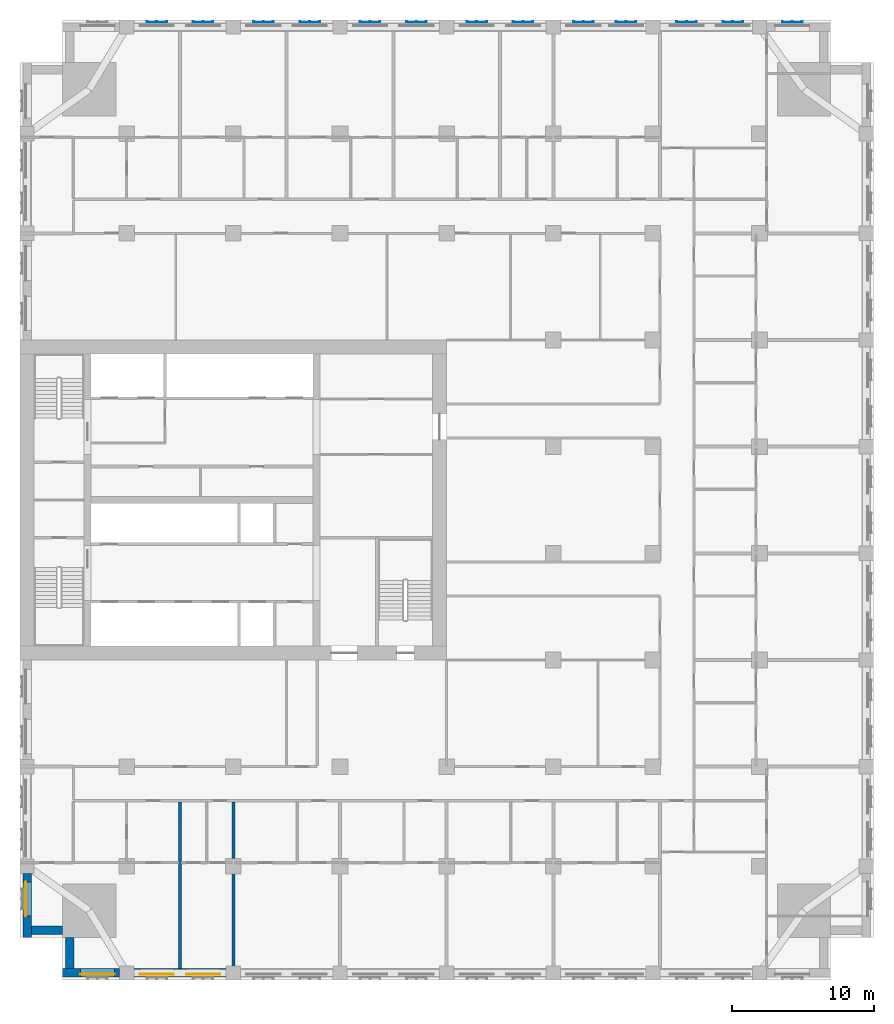
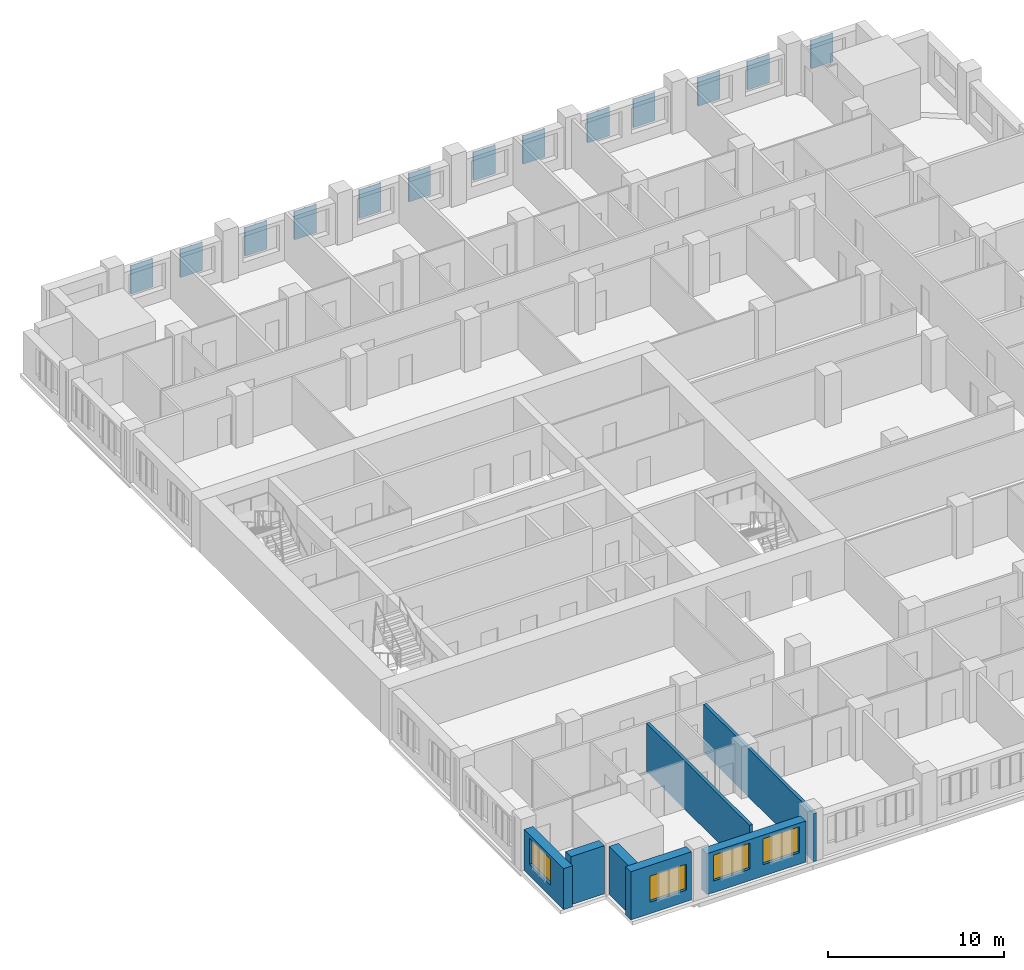
# One storey, part 3 of 14: 13 plates, 7 walls, 4 windows, 4 openings.
"""IFC4 building model written with IfcOpenShell, lengths in metres."""

from ifc_helpers import new_model, si_unit, direction, frame, frame_2d, origin, place, context, subcontext, project, spatial, polyline, rectangle, outline, extrude, material, layer, layer_set, type_object, element, fill, save


model = new_model("IFC4")

# Units and contexts
model_context = context("Model", 3, precision=1e-05, world=origin(), true_north=direction((0.0, 1.0)))
body_context = subcontext(model_context, "Body", "Model", "MODEL_VIEW")
ifc_project = project(units=[si_unit("LENGTHUNIT", "METRE"), si_unit("AREAUNIT", "SQUARE_METRE"), si_unit("VOLUMEUNIT", "CUBIC_METRE"), si_unit("PLANEANGLEUNIT", "RADIAN"), si_unit("MASSUNIT", "GRAM", prefix="KILO")], contexts=[model_context])

# Site, building, storey
site_placement = place(None, origin())
site = spatial("IfcSite", under=ifc_project, at=site_placement, CompositionType="ELEMENT")
building_placement = place(site_placement, origin())
building = spatial("IfcBuilding", under=site, at=building_placement, Name="Tamorin Gate", CompositionType="ELEMENT")
storey_placement = place(building_placement, frame((0.0, 0.0, 86.300048828125)))
storey = spatial("IfcBuildingStorey", under=building, at=storey_placement, Name="L20", CompositionType="ELEMENT", Elevation=86.300048828125)

# Plates
ifc_material_1 = material(Name="Perforated pale aluminium sheet", Category="aluminium")
ifc_layer_1 = layer(ifc_material_1, 0.0400390625)
ifc_layer_set_1 = layer_set([ifc_layer_1], Name="Pale metal solar screen 1440")
plate_type = type_object("IfcPlateType", Name="Pale metal solar screen 1440", PredefinedType="SHEET", material=ifc_layer_set_1)
plate_1_placement = place(storey_placement, frame((0.0, 0.0, 0.7099609375)))
element("IfcPlate", 1, at=plate_1_placement, inside=storey, type_object=plate_type, Name="Perforated solar screen", PredefinedType="SHEET", context=body_context, shape_type="SweptSolid", body=[
    extrude(outline(polyline([(85.02001953125, 104.840087890625), (85.02001953125, 104.800048828125), (84.9599609375, 104.800048828125), (84.330078125, 104.800048828125), (84.27001953125, 104.800048828125), (83.639892578125, 104.800048828125), (83.580078125, 104.800048828125), (83.580078125, 104.840087890625), (83.580078125, 104.89990234375), (83.639892578125, 104.89990234375), (83.639892578125, 104.840087890625), (84.27001953125, 104.840087890625), (84.27001953125, 104.89990234375), (84.330078125, 104.89990234375), (84.330078125, 104.840087890625), (84.9599609375, 104.840087890625), (84.9599609375, 104.89990234375), (85.02001953125, 104.89990234375), (85.02001953125, 104.840087890625)])), origin(), (0.0, 0.0, 1.0), 1.97998046875),
])
plate_2_placement = place(storey_placement, frame((0.0, 0.0, 0.7099609375)))
element("IfcPlate", 2, at=plate_2_placement, inside=storey, type_object=plate_type, Name="Perforated solar screen", PredefinedType="SHEET", context=body_context, shape_type="SweptSolid", body=[
    extrude(outline(polyline([(77.594970703125, 104.840087890625), (77.594970703125, 104.800048828125), (77.534912109375, 104.800048828125), (76.905029296875, 104.800048828125), (76.844970703125, 104.800048828125), (76.215087890625, 104.800048828125), (76.155029296875, 104.800048828125), (76.155029296875, 104.840087890625), (76.155029296875, 104.89990234375), (76.215087890625, 104.89990234375), (76.215087890625, 104.840087890625), (76.844970703125, 104.840087890625), (76.844970703125, 104.89990234375), (76.905029296875, 104.89990234375), (76.905029296875, 104.840087890625), (77.534912109375, 104.840087890625), (77.534912109375, 104.89990234375), (77.594970703125, 104.89990234375), (77.594970703125, 104.840087890625)])), origin(), (0.0, 0.0, 1.0), 1.97998046875),
])
plate_3_placement = place(storey_placement, frame((0.0, 0.0, 0.7099609375)))
element("IfcPlate", 3, at=plate_3_placement, inside=storey, type_object=plate_type, Name="Perforated solar screen", PredefinedType="SHEET", context=body_context, shape_type="SweptSolid", body=[
    extrude(outline(polyline([(80.844970703125, 104.840087890625), (80.844970703125, 104.800048828125), (80.784912109375, 104.800048828125), (80.155029296875, 104.800048828125), (80.094970703125, 104.800048828125), (79.465087890625, 104.800048828125), (79.405029296875, 104.800048828125), (79.405029296875, 104.800048828125), (79.405029296875, 104.840087890625), (79.405029296875, 104.840087890625), (79.405029296875, 104.89990234375), (79.465087890625, 104.89990234375), (79.465087890625, 104.840087890625), (80.094970703125, 104.840087890625), (80.094970703125, 104.89990234375), (80.155029296875, 104.89990234375), (80.155029296875, 104.840087890625), (80.784912109375, 104.840087890625), (80.784912109375, 104.89990234375), (80.844970703125, 104.89990234375), (80.844970703125, 104.840087890625)])), origin(), (0.0, 0.0, 1.0), 1.97998046875),
])
plate_4_placement = place(storey_placement, frame((0.0, 0.0, 0.7099609375)))
element("IfcPlate", 4, at=plate_4_placement, inside=storey, type_object=plate_type, Name="Perforated solar screen", PredefinedType="SHEET", context=body_context, shape_type="SweptSolid", body=[
    extrude(outline(polyline([(70.344970703125, 104.840087890625), (70.344970703125, 104.800048828125), (70.284912109375, 104.800048828125), (69.655029296875, 104.800048828125), (69.594970703125, 104.800048828125), (68.965087890625, 104.800048828125), (68.905029296875, 104.800048828125), (68.905029296875, 104.840087890625), (68.905029296875, 104.89990234375), (68.965087890625, 104.89990234375), (68.965087890625, 104.840087890625), (69.594970703125, 104.840087890625), (69.594970703125, 104.89990234375), (69.655029296875, 104.89990234375), (69.655029296875, 104.840087890625), (70.284912109375, 104.840087890625), (70.284912109375, 104.89990234375), (70.344970703125, 104.89990234375), (70.344970703125, 104.840087890625)])), origin(), (0.0, 0.0, 1.0), 1.97998046875),
])
plate_5_placement = place(storey_placement, frame((0.0, 0.0, 0.7099609375)))
element("IfcPlate", 5, at=plate_5_placement, inside=storey, type_object=plate_type, Name="Perforated solar screen", PredefinedType="SHEET", context=body_context, shape_type="SweptSolid", body=[
    extrude(outline(polyline([(73.344970703125, 104.840087890625), (73.344970703125, 104.800048828125), (73.284912109375, 104.800048828125), (72.655029296875, 104.800048828125), (72.594970703125, 104.800048828125), (71.965087890625, 104.800048828125), (71.905029296875, 104.800048828125), (71.905029296875, 104.840087890625), (71.905029296875, 104.89990234375), (71.965087890625, 104.89990234375), (71.965087890625, 104.840087890625), (72.594970703125, 104.840087890625), (72.594970703125, 104.89990234375), (72.655029296875, 104.89990234375), (72.655029296875, 104.840087890625), (73.284912109375, 104.840087890625), (73.284912109375, 104.89990234375), (73.344970703125, 104.89990234375), (73.344970703125, 104.840087890625)])), origin(), (0.0, 0.0, 1.0), 1.97998046875),
])
plate_6_placement = place(storey_placement, frame((0.0, 0.0, 0.7099609375)))
element("IfcPlate", 6, at=plate_6_placement, inside=storey, type_object=plate_type, Name="Perforated solar screen", PredefinedType="SHEET", context=body_context, shape_type="SweptSolid", body=[
    extrude(outline(polyline([(62.844970703125, 104.840087890625), (62.844970703125, 104.800048828125), (62.784912109375, 104.800048828125), (62.155029296875, 104.800048828125), (62.094970703125, 104.800048828125), (61.465087890625, 104.800048828125), (61.405029296875, 104.800048828125), (61.405029296875, 104.840087890625), (61.405029296875, 104.89990234375), (61.465087890625, 104.89990234375), (61.465087890625, 104.840087890625), (62.094970703125, 104.840087890625), (62.094970703125, 104.89990234375), (62.155029296875, 104.89990234375), (62.155029296875, 104.840087890625), (62.784912109375, 104.840087890625), (62.784912109375, 104.89990234375), (62.844970703125, 104.89990234375), (62.844970703125, 104.840087890625)])), origin(), (0.0, 0.0, 1.0), 1.97998046875),
])
plate_7_placement = place(storey_placement, frame((0.0, 0.0, 0.7099609375)))
element("IfcPlate", 7, at=plate_7_placement, inside=storey, type_object=plate_type, Name="Perforated solar screen", PredefinedType="SHEET", context=body_context, shape_type="SweptSolid", body=[
    extrude(outline(polyline([(66.094970703125, 104.840087890625), (66.094970703125, 104.800048828125), (66.034912109375, 104.800048828125), (65.405029296875, 104.800048828125), (65.344970703125, 104.800048828125), (64.715087890625, 104.800048828125), (64.655029296875, 104.800048828125), (64.655029296875, 104.840087890625), (64.655029296875, 104.89990234375), (64.715087890625, 104.89990234375), (64.715087890625, 104.840087890625), (65.344970703125, 104.840087890625), (65.344970703125, 104.89990234375), (65.405029296875, 104.89990234375), (65.405029296875, 104.840087890625), (66.034912109375, 104.840087890625), (66.034912109375, 104.89990234375), (66.094970703125, 104.89990234375), (66.094970703125, 104.840087890625)])), origin(), (0.0, 0.0, 1.0), 1.97998046875),
])
plate_8_placement = place(storey_placement, frame((0.0, 0.0, 0.7099609375)))
element("IfcPlate", 8, at=plate_8_placement, inside=storey, type_object=plate_type, Name="Perforated solar screen", PredefinedType="SHEET", context=body_context, shape_type="SweptSolid", body=[
    extrude(outline(polyline([(55.344970703125, 104.840087890625), (55.344970703125, 104.800048828125), (55.284912109375, 104.800048828125), (54.655029296875, 104.800048828125), (54.594970703125, 104.800048828125), (53.965087890625, 104.800048828125), (53.905029296875, 104.800048828125), (53.905029296875, 104.840087890625), (53.905029296875, 104.89990234375), (53.965087890625, 104.89990234375), (53.965087890625, 104.840087890625), (54.594970703125, 104.840087890625), (54.594970703125, 104.89990234375), (54.655029296875, 104.89990234375), (54.655029296875, 104.840087890625), (55.284912109375, 104.840087890625), (55.284912109375, 104.89990234375), (55.344970703125, 104.89990234375), (55.344970703125, 104.840087890625)])), origin(), (0.0, 0.0, 1.0), 1.97998046875),
])
plate_9_placement = place(storey_placement, frame((0.0, 0.0, 0.7099609375)))
element("IfcPlate", 9, at=plate_9_placement, inside=storey, type_object=plate_type, Name="Perforated solar screen", PredefinedType="SHEET", context=body_context, shape_type="SweptSolid", body=[
    extrude(outline(polyline([(58.594970703125, 104.840087890625), (58.594970703125, 104.800048828125), (58.534912109375, 104.800048828125), (57.905029296875, 104.800048828125), (57.844970703125, 104.800048828125), (57.215087890625, 104.800048828125), (57.155029296875, 104.800048828125), (57.155029296875, 104.840087890625), (57.155029296875, 104.89990234375), (57.215087890625, 104.89990234375), (57.215087890625, 104.840087890625), (57.844970703125, 104.840087890625), (57.844970703125, 104.89990234375), (57.905029296875, 104.89990234375), (57.905029296875, 104.840087890625), (58.534912109375, 104.840087890625), (58.534912109375, 104.89990234375), (58.594970703125, 104.89990234375), (58.594970703125, 104.840087890625)])), origin(), (0.0, 0.0, 1.0), 1.97998046875),
])
plate_10_placement = place(storey_placement, frame((0.0, 0.0, 0.7099609375)))
element("IfcPlate", 10, at=plate_10_placement, inside=storey, type_object=plate_type, Name="Perforated solar screen", PredefinedType="SHEET", context=body_context, shape_type="SweptSolid", body=[
    extrude(outline(polyline([(47.844970703125, 104.840087890625), (47.844970703125, 104.800048828125), (47.784912109375, 104.800048828125), (47.155029296875, 104.800048828125), (47.094970703125, 104.800048828125), (46.465087890625, 104.800048828125), (46.405029296875, 104.800048828125), (46.405029296875, 104.840087890625), (46.405029296875, 104.89990234375), (46.465087890625, 104.89990234375), (46.465087890625, 104.840087890625), (47.094970703125, 104.840087890625), (47.094970703125, 104.89990234375), (47.155029296875, 104.89990234375), (47.155029296875, 104.840087890625), (47.784912109375, 104.840087890625), (47.784912109375, 104.89990234375), (47.844970703125, 104.89990234375), (47.844970703125, 104.840087890625)])), origin(), (0.0, 0.0, 1.0), 1.97998046875),
])
plate_11_placement = place(storey_placement, frame((0.0, 0.0, 0.7099609375)))
element("IfcPlate", 11, at=plate_11_placement, inside=storey, type_object=plate_type, Name="Perforated solar screen", PredefinedType="SHEET", context=body_context, shape_type="SweptSolid", body=[
    extrude(outline(polyline([(51.094970703125, 104.840087890625), (51.094970703125, 104.800048828125), (51.034912109375, 104.800048828125), (50.405029296875, 104.800048828125), (50.344970703125, 104.800048828125), (49.715087890625, 104.800048828125), (49.655029296875, 104.800048828125), (49.655029296875, 104.840087890625), (49.655029296875, 104.89990234375), (49.715087890625, 104.89990234375), (49.715087890625, 104.840087890625), (50.344970703125, 104.840087890625), (50.344970703125, 104.89990234375), (50.405029296875, 104.89990234375), (50.405029296875, 104.840087890625), (51.034912109375, 104.840087890625), (51.034912109375, 104.89990234375), (51.094970703125, 104.89990234375), (51.094970703125, 104.840087890625)])), origin(), (0.0, 0.0, 1.0), 1.97998046875),
])
plate_12_placement = place(storey_placement, frame((0.0, 0.0, 0.7099609375)))
element("IfcPlate", 12, at=plate_12_placement, inside=storey, type_object=plate_type, Name="Perforated solar screen", PredefinedType="SHEET", context=body_context, shape_type="SweptSolid", body=[
    extrude(outline(polyline([(40.344970703125, 104.840087890625), (40.344970703125, 104.800048828125), (40.284912109375, 104.800048828125), (39.655029296875, 104.800048828125), (39.594970703125, 104.800048828125), (38.965087890625, 104.800048828125), (38.905029296875, 104.800048828125), (38.905029296875, 104.840087890625), (38.905029296875, 104.89990234375), (38.965087890625, 104.89990234375), (38.965087890625, 104.840087890625), (39.594970703125, 104.840087890625), (39.594970703125, 104.89990234375), (39.655029296875, 104.89990234375), (39.655029296875, 104.840087890625), (40.284912109375, 104.840087890625), (40.284912109375, 104.89990234375), (40.344970703125, 104.89990234375), (40.344970703125, 104.840087890625)])), origin(), (0.0, 0.0, 1.0), 1.97998046875),
])
plate_13_placement = place(storey_placement, frame((0.0, 0.0, 0.7099609375)))
element("IfcPlate", 13, at=plate_13_placement, inside=storey, type_object=plate_type, Name="Perforated solar screen", PredefinedType="SHEET", context=body_context, shape_type="SweptSolid", body=[
    extrude(outline(polyline([(43.594970703125, 104.840087890625), (43.594970703125, 104.800048828125), (43.534912109375, 104.800048828125), (42.905029296875, 104.800048828125), (42.844970703125, 104.800048828125), (42.215087890625, 104.800048828125), (42.155029296875, 104.800048828125), (42.155029296875, 104.840087890625), (42.155029296875, 104.89990234375), (42.215087890625, 104.89990234375), (42.215087890625, 104.840087890625), (42.844970703125, 104.840087890625), (42.844970703125, 104.89990234375), (42.905029296875, 104.89990234375), (42.905029296875, 104.840087890625), (43.534912109375, 104.840087890625), (43.534912109375, 104.89990234375), (43.594970703125, 104.89990234375), (43.594970703125, 104.840087890625)])), origin(), (0.0, 0.0, 1.0), 1.97998046875),
])

# Wall, opening, window
ifc_material_2 = material(Name="Precast concrete C40/50", Category="concrete")
ifc_layer_2 = layer(ifc_material_2, 0.60009765625)
ifc_layer_set_2 = layer_set([ifc_layer_2], Name="Precast concrete C40/50")
wall_type_1 = type_object("IfcWallType", Name="Board-marked concrete facade panel 600", PredefinedType="SOLIDWALL", material=ifc_layer_set_2)
wall_1_placement = place(storey_placement, frame((33.0, 38.0, 0.0), z_axis=(0.0, 0.0, 1.0), x_axis=(1.0, 0.0, 0.0)))
wall_1 = element("IfcWall", 14, at=wall_1_placement, inside=storey, type_object=wall_type_1, Name="Facade panel", PredefinedType="SOLIDWALL", context=body_context, shape_type="SweptSolid", body=[
    extrude(rectangle(XDim=4.0, YDim=0.60009765625, at=frame_2d((2.0, 0.0))), origin(), (0.0, 0.0, 1.0), 3.349853515625),
])
opening_1_placement = place(wall_1_placement, frame((1.25, 0.0, 0.800048828125)))
opening_1 = element("IfcOpeningElement", 15, at=opening_1_placement, cuts=wall_1, Name="Opening WN1", PredefinedType="OPENING", context=body_context, shape_type="SweptSolid", body=[
    extrude(rectangle(XDim=2.39990234375, YDim=1.800048828125, at=frame_2d((1.199951171875, 0.89990234375))), frame((0.0, 0.31005859375, 0.0), z_axis=(0.0, -1.0, 0.0), x_axis=(1.0, 0.0, 0.0)), (0.0, 0.0, 1.0), 0.6201171875),
])
ifc_material_3 = material(Name="Clear glass in aluminium frame", Category="aluminium")
window_type = type_object("IfcWindowType", Name="Deep-set window 2400x1800", PartitioningType="SINGLE_PANEL", PredefinedType="WINDOW", material=ifc_material_3)
window_1_placement = place(opening_1_placement, origin())
window_1 = element("IfcWindow", 16, at=window_1_placement, inside=storey, type_object=window_type, Name="Deep-set window", OverallHeight=1.800048828125, OverallWidth=2.39990234375, PartitioningType="SINGLE_PANEL", PredefinedType="WINDOW", context=body_context, shape_type="SweptSolid", body=[
    extrude(rectangle(XDim=2.39990234375, YDim=1.800048828125, at=frame_2d((1.199951171875, 0.89990234375))), frame((0.0, -0.070068359375, 0.0), z_axis=(0.0, -1.0, 0.0), x_axis=(1.0, 0.0, 0.0)), (0.0, 0.0, 1.0), 0.06005859375),
])
fill(opening_1, window_1)

# Wall, openings, windows
wall_2_placement = place(storey_placement, frame((38.0, 38.0, 0.0), z_axis=(0.0, 0.0, 1.0), x_axis=(1.0, 0.0, 0.0)))
wall_2 = element("IfcWall", 17, at=wall_2_placement, inside=storey, type_object=wall_type_1, Name="Facade panel", PredefinedType="SOLIDWALL", context=body_context, shape_type="SweptSolid", body=[
    extrude(rectangle(XDim=6.5, YDim=0.60009765625, at=frame_2d((3.25, 0.0))), origin(), (0.0, 0.0, 1.0), 2.849853515625),
])
opening_2_placement = place(wall_2_placement, frame((0.425048828125, 0.0, 0.800048828125)))
opening_2 = element("IfcOpeningElement", 18, at=opening_2_placement, cuts=wall_2, Name="Opening WN1", PredefinedType="OPENING", context=body_context, shape_type="SweptSolid", body=[
    extrude(rectangle(XDim=2.39990234375, YDim=1.800048828125, at=frame_2d((1.199951171875, 0.89990234375))), frame((0.0, 0.31005859375, 0.0), z_axis=(0.0, -1.0, 0.0), x_axis=(1.0, 0.0, 0.0)), (0.0, 0.0, 1.0), 0.6201171875),
])
opening_3_placement = place(wall_2_placement, frame((3.675048828125, 0.0, 0.800048828125)))
opening_3 = element("IfcOpeningElement", 19, at=opening_3_placement, cuts=wall_2, Name="Opening WN1", PredefinedType="OPENING", context=body_context, shape_type="SweptSolid", body=[
    extrude(rectangle(XDim=2.39990234375, YDim=1.800048828125, at=frame_2d((1.199951171875, 0.89990234375))), frame((0.0, 0.31005859375, 0.0), z_axis=(0.0, -1.0, 0.0), x_axis=(1.0, 0.0, 0.0)), (0.0, 0.0, 1.0), 0.6201171875),
])
window_2_placement = place(opening_2_placement, origin())
window_2 = element("IfcWindow", 20, at=window_2_placement, inside=storey, type_object=window_type, Name="Deep-set window", OverallHeight=1.800048828125, OverallWidth=2.39990234375, PartitioningType="SINGLE_PANEL", PredefinedType="WINDOW", context=body_context, shape_type="SweptSolid", body=[
    extrude(rectangle(XDim=2.39990234375, YDim=1.800048828125, at=frame_2d((1.199951171875, 0.89990234375))), frame((0.0, -0.070068359375, 0.0), z_axis=(0.0, -1.0, 0.0), x_axis=(1.0, 0.0, 0.0)), (0.0, 0.0, 1.0), 0.06005859375),
])
fill(opening_2, window_2)
window_3_placement = place(opening_3_placement, origin())
window_3 = element("IfcWindow", 21, at=window_3_placement, inside=storey, type_object=window_type, Name="Deep-set window", OverallHeight=1.800048828125, OverallWidth=2.39990234375, PartitioningType="SINGLE_PANEL", PredefinedType="WINDOW", context=body_context, shape_type="SweptSolid", body=[
    extrude(rectangle(XDim=2.39990234375, YDim=1.800048828125, at=frame_2d((1.199951171875, 0.89990234375))), frame((0.0, -0.070068359375, 0.0), z_axis=(0.0, -1.0, 0.0), x_axis=(1.0, 0.0, 0.0)), (0.0, 0.0, 1.0), 0.06005859375),
])
fill(opening_3, window_3)

# Wall, opening, window
wall_3_placement = place(storey_placement, frame((30.5, 45.0, 0.0), z_axis=(0.0, 0.0, 1.0), x_axis=(0.0, -1.0, 0.0)))
wall_3 = element("IfcWall", 22, at=wall_3_placement, inside=storey, type_object=wall_type_1, Name="Facade panel", PredefinedType="SOLIDWALL", context=body_context, shape_type="SweptSolid", body=[
    extrude(rectangle(XDim=4.5, YDim=0.60009765625, at=frame_2d((2.25, 0.0))), origin(), (0.0, 0.0, 1.0), 2.849853515625),
])
opening_4_placement = place(wall_3_placement, frame((0.60009765625, 0.0, 0.800048828125)))
opening_4 = element("IfcOpeningElement", 23, at=opening_4_placement, cuts=wall_3, Name="Opening WN1", PredefinedType="OPENING", context=body_context, shape_type="SweptSolid", body=[
    extrude(rectangle(XDim=2.39990234375, YDim=1.800048828125, at=frame_2d((1.199951171875, 0.89990234375))), frame((0.0, 0.31005859375, 0.0), z_axis=(0.0, -1.0, 0.0), x_axis=(1.0, 0.0, 0.0)), (0.0, 0.0, 1.0), 0.6201171875),
])
window_4_placement = place(opening_4_placement, origin())
window_4 = element("IfcWindow", 24, at=window_4_placement, inside=storey, type_object=window_type, Name="Deep-set window", OverallHeight=1.800048828125, OverallWidth=2.39990234375, PartitioningType="SINGLE_PANEL", PredefinedType="WINDOW", context=body_context, shape_type="SweptSolid", body=[
    extrude(rectangle(XDim=2.39990234375, YDim=1.800048828125, at=frame_2d((1.199951171875, 0.89990234375))), frame((0.0, -0.070068359375, 0.0), z_axis=(0.0, -1.0, 0.0), x_axis=(1.0, 0.0, 0.0)), (0.0, 0.0, 1.0), 0.06005859375),
])
fill(opening_4, window_4)

# Walls
for number, where, z_axis, x_axis, name in (
    (25, (30.800048828125, 41.0, 0.0), (0.0, 0.0, 1.0), (1.0, 0.0, 0.0), "Facade panel"),
    (26, (33.5, 40.5, 0.0), (0.0, 0.0, 1.0), (0.0, -1.0, 0.0), "Facade panel"),
):
    element("IfcWall", number, at=place(storey_placement, frame(where, z_axis=z_axis, x_axis=x_axis)), inside=storey, type_object=wall_type_1, Name=name, PredefinedType="SOLIDWALL", context=body_context, shape_type="SweptSolid", body=[
        extrude(rectangle(XDim=2.199951171875, YDim=0.60009765625, at=frame_2d((1.10009765625, 0.0))), origin(), (0.0, 0.0, 1.0), 3.349853515625),
    ])
ifc_material_4 = material(Name="Gypsum board partition")
ifc_layer_3 = layer(ifc_material_4, 0.199951171875)
ifc_layer_set_3 = layer_set([ifc_layer_3], Name="Demising wall 200")
wall_type_2 = type_object("IfcWallType", Name="Demising wall 200", PredefinedType="PARTITIONING", material=ifc_layer_set_3)
wall_4_placement = place(storey_placement, frame((41.25, 38.31005859375, 0.0), z_axis=(0.0, 0.0, 1.0), x_axis=(0.0, 1.0, 0.0)))
element("IfcWall", 27, at=wall_4_placement, inside=storey, type_object=wall_type_2, Name="Demising wall 200", PredefinedType="PARTITIONING", context=body_context, shape_type="SweptSolid", body=[
    extrude(rectangle(XDim=11.71484375, YDim=0.199951171875, at=frame_2d((5.857421875, 0.0))), origin(), (0.0, 0.0, 1.0), 3.349853515625),
])
wall_5_placement = place(storey_placement, frame((45.0, 37.5, 0.0), z_axis=(0.0, 0.0, 1.0), x_axis=(0.0, 1.0, 0.0)))
element("IfcWall", 28, at=wall_5_placement, inside=storey, type_object=wall_type_2, Name="Demising wall 200", PredefinedType="PARTITIONING", context=body_context, shape_type="SweptSolid", body=[
    extrude(rectangle(XDim=12.52490234375, YDim=0.199951171875, at=frame_2d((6.262451171875, 0.0))), origin(), (0.0, 0.0, 1.0), 3.349853515625),
])

save(model, "model.ifc")
